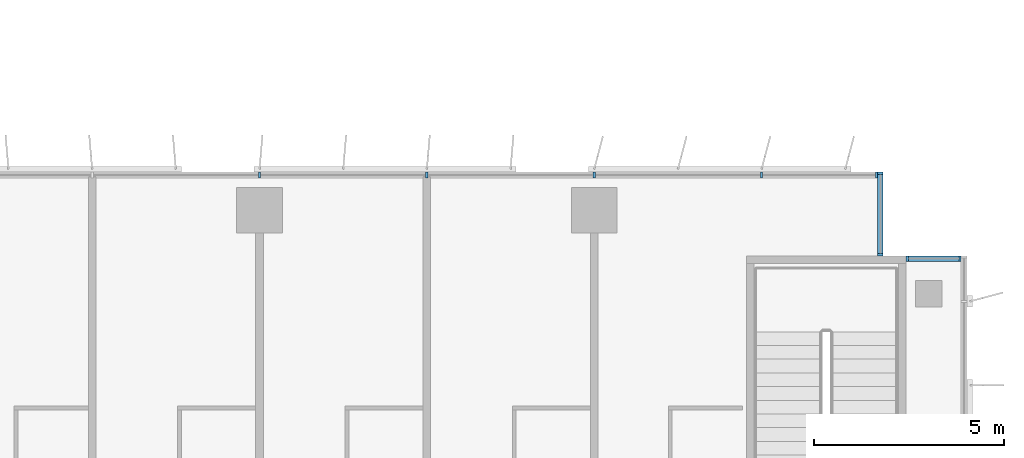
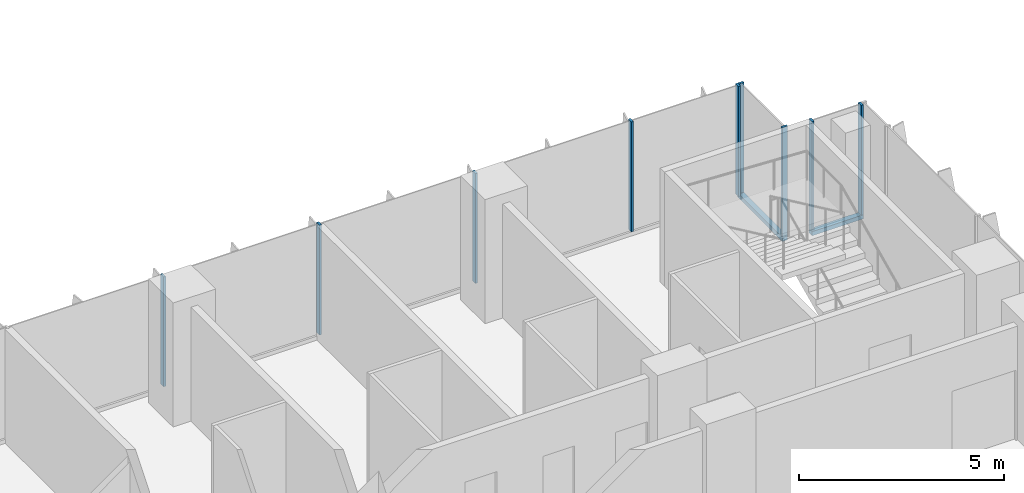
# One storey, part 4 of 22: 11 members, 3 elements without a shape of their own.
"""IFC4 building model written with IfcOpenShell, lengths in metres."""

from ifc_helpers import new_model, si_unit, direction, frame, origin, origin_2d, place, context, subcontext, project, spatial, rectangle, extrude, source, transform, mapped, material, material_profile, profile_set, type_object, element, aggregate, save


model = new_model("IFC4")

# Units and contexts
model_context = context("Model", 3, precision=1e-05, world=origin(), true_north=direction((0.0, 1.0)))
body_context = subcontext(model_context, "Body", "Model", "MODEL_VIEW")
ifc_project = project(units=[si_unit("LENGTHUNIT", "METRE"), si_unit("AREAUNIT", "SQUARE_METRE"), si_unit("VOLUMEUNIT", "CUBIC_METRE"), si_unit("PLANEANGLEUNIT", "RADIAN"), si_unit("MASSUNIT", "GRAM", prefix="KILO")], contexts=[model_context])

# Site, building, storey
site_placement = place(None, origin())
site = spatial("IfcSite", under=ifc_project, at=site_placement, CompositionType="ELEMENT")
building_placement = place(site_placement, origin())
building = spatial("IfcBuilding", under=site, at=building_placement, Name="Kemantara Hotel Tower", CompositionType="ELEMENT")
storey_placement = place(building_placement, frame((0.0, 0.0, 107.39990234375)))
storey = spatial("IfcBuildingStorey", under=building, at=storey_placement, Name="L25", CompositionType="ELEMENT", Elevation=107.39990234375)

# Curtain wall, member
ifc_material_1 = material(Name="Low-E tinted double insulated glass 36 mm", Category="glass")
curtain_wall_type = type_object("IfcCurtainWallType", Name="TOWER CURTAIN WALL, FRONT FACES", PredefinedType="USERDEFINED", material=ifc_material_1)
curtain_wall_1_placement = place(storey_placement, origin())
curtain_wall_1 = element("IfcCurtainWall", 1, at=curtain_wall_1_placement, inside=storey, type_object=curtain_wall_type, Name="CW4 L25 T2-R11-1", ObjectType="TOWER CURTAIN WALL, FRONT FACES", PredefinedType="USERDEFINED")
ifc_material_2 = material(Name="Aluminium 6063-T6 bronze anodised", Category="aluminium")
ifc_material_profile_1 = material_profile(ifc_material_2, rectangle(XDim=0.14990234375, YDim=0.1201171875, at=origin_2d()), Name="TOWER CURTAIN WALL, FRONT FACES TRANSOM")
ifc_profile_set_1 = profile_set([ifc_material_profile_1], Name="Aluminium 6063-T6 bronze anodised")
member_type_1 = type_object("IfcMemberType", Name="TOWER CURTAIN WALL, FRONT FACES TRANSOM", PredefinedType="USERDEFINED", material=ifc_profile_set_1)
member_1_placement = place(storey_placement, frame((63.449951171875, 19.72509765625, 0.06005859375), z_axis=(-1.0, 0.0, 0.0), x_axis=(0.0, -1.0, 0.0)))
member_1 = element("IfcMember", 2, at=member_1_placement, type_object=member_type_1, Name="CW4 sill transom T2-R11-1", ObjectType="TRANSOM", PredefinedType="USERDEFINED", context=body_context, shape_type="SweptSolid", body=[
    extrude(rectangle(XDim=0.14990234375, YDim=0.1201171875, at=origin_2d()), origin(), (0.0, 0.0, 1.0), 1.449951171875),
])

curtain_wall_2_placement = place(storey_placement, origin())
curtain_wall_2 = element("IfcCurtainWall", 3, at=curtain_wall_2_placement, inside=storey, type_object=curtain_wall_type, Name="CW4 L25 T2-R12-1", ObjectType="TOWER CURTAIN WALL, FRONT FACES", PredefinedType="USERDEFINED")
member_2_placement = place(storey_placement, frame((61.324951171875, 19.800048828125, 0.06005859375), z_axis=(0.0, 1.0, 0.0), x_axis=(-1.0, 0.0, 0.0)))
member_2 = element("IfcMember", 4, at=member_2_placement, type_object=member_type_1, Name="CW4 sill transom T2-R12-1", ObjectType="TRANSOM", PredefinedType="USERDEFINED", context=body_context, shape_type="SweptSolid", body=[
    extrude(rectangle(XDim=0.14990234375, YDim=0.1201171875, at=origin_2d()), origin(), (0.0, 0.0, 1.0), 2.199951171875),
])

# Curtain wall, members
curtain_wall_3_placement = place(storey_placement, origin())
curtain_wall_3 = element("IfcCurtainWall", 5, at=curtain_wall_3_placement, inside=storey, type_object=curtain_wall_type, Name="CW4 L25 T2-R13-1", ObjectType="TOWER CURTAIN WALL, FRONT FACES", PredefinedType="USERDEFINED")
ifc_material_profile_2 = material_profile(ifc_material_2, rectangle(XDim=0.14990234375, YDim=0.06005859375, at=origin_2d()), Name="TOWER CURTAIN WALL, FRONT FACES MULLION")
ifc_profile_set_2 = profile_set([ifc_material_profile_2], Name="Aluminium 6063-T6 bronze anodised")
member_type_2 = type_object("IfcMemberType", Name="TOWER CURTAIN WALL, FRONT FACES MULLION", PredefinedType="MULLION", material=ifc_profile_set_2)
shared_shape = source(origin(), body_context, "Body", "SweptSolid", [
    extrude(rectangle(XDim=0.14990234375, YDim=0.06005859375, at=origin_2d()), origin(), (0.0, 0.0, 1.0), 3.280029296875),
])
member_3_placement = place(storey_placement, frame((61.219970703125, 21.925048828125, 0.1201171875), z_axis=(0.0, 0.0, 1.0), x_axis=(0.0, -1.0, 0.0)))
member_3 = element("IfcMember", 6, at=member_3_placement, type_object=member_type_2, Name="CW4 mullion T2-R13-1.1", PredefinedType="MULLION", context=body_context, shape_type="MappedRepresentation", body=[
    mapped(shared_shape, transform((0.0, 0.0, 0.0))),
])
member_4_placement = place(storey_placement, frame((58.199951171875, 21.925048828125, 0.1201171875), z_axis=(0.0, 0.0, 1.0), x_axis=(0.0, -1.0, 0.0)))
member_4 = element("IfcMember", 7, at=member_4_placement, type_object=member_type_2, Name="CW4 mullion T2-R13-1.2", PredefinedType="MULLION", context=body_context, shape_type="MappedRepresentation", body=[
    mapped(shared_shape, transform((0.0, 0.0, 0.0))),
])
member_5_placement = place(storey_placement, frame((53.800048828125, 21.925048828125, 0.1201171875), z_axis=(0.0, 0.0, 1.0), x_axis=(0.0, -1.0, 0.0)))
member_5 = element("IfcMember", 8, at=member_5_placement, type_object=member_type_2, Name="CW4 mullion T2-R13-1.3", PredefinedType="MULLION", context=body_context, shape_type="MappedRepresentation", body=[
    mapped(shared_shape, transform((0.0, 0.0, 0.0))),
])
member_6_placement = place(storey_placement, frame((49.39990234375, 21.925048828125, 0.1201171875), z_axis=(0.0, 0.0, 1.0), x_axis=(0.0, -1.0, 0.0)))
member_6 = element("IfcMember", 9, at=member_6_placement, type_object=member_type_2, Name="CW4 mullion T2-R13-1.4", PredefinedType="MULLION", context=body_context, shape_type="MappedRepresentation", body=[
    mapped(shared_shape, transform((0.0, 0.0, 0.0))),
])
member_7_placement = place(storey_placement, frame((45.0, 21.925048828125, 0.1201171875), z_axis=(0.0, 0.0, 1.0), x_axis=(0.0, -1.0, 0.0)))
member_7 = element("IfcMember", 10, at=member_7_placement, type_object=member_type_2, Name="CW4 mullion T2-R13-1.5", PredefinedType="MULLION", context=body_context, shape_type="MappedRepresentation", body=[
    mapped(shared_shape, transform((0.0, 0.0, 0.0))),
])
aggregate(curtain_wall_3, [member_3, member_4, member_5, member_6, member_7])

# Member
member_8_placement = place(storey_placement, frame((63.419921875, 19.72509765625, 0.1201171875), z_axis=(0.0, 0.0, 1.0), x_axis=(0.0, -1.0, 0.0)))
member_8 = element("IfcMember", 11, at=member_8_placement, type_object=member_type_2, Name="CW4 mullion T2-R11-1.1", PredefinedType="MULLION", context=body_context, shape_type="MappedRepresentation", body=[
    mapped(shared_shape, transform((0.0, 0.0, 0.0))),
])

member_9_placement = place(storey_placement, frame((62.030029296875, 19.72509765625, 0.1201171875), z_axis=(0.0, 0.0, 1.0), x_axis=(0.0, -1.0, 0.0)))
member_9 = element("IfcMember", 12, at=member_9_placement, type_object=member_type_2, Name="CW4 mullion T2-R11-1.2", PredefinedType="MULLION", context=body_context, shape_type="MappedRepresentation", body=[
    mapped(shared_shape, transform((0.0, 0.0, 0.0))),
])

aggregate(curtain_wall_1, [member_1, member_8, member_9])

member_10_placement = place(storey_placement, frame((61.324951171875, 19.830078125, 0.1201171875), z_axis=(0.0, 0.0, 1.0), x_axis=(-1.0, 0.0, 0.0)))
member_10 = element("IfcMember", 13, at=member_10_placement, type_object=member_type_2, Name="CW4 mullion T2-R12-1.1", PredefinedType="MULLION", context=body_context, shape_type="MappedRepresentation", body=[
    mapped(shared_shape, transform((0.0, 0.0, 0.0))),
])

member_11_placement = place(storey_placement, frame((61.324951171875, 21.969970703125, 0.1201171875), z_axis=(0.0, 0.0, 1.0), x_axis=(-1.0, 0.0, 0.0)))
member_11 = element("IfcMember", 14, at=member_11_placement, type_object=member_type_2, Name="CW4 mullion T2-R12-1.2", PredefinedType="MULLION", context=body_context, shape_type="MappedRepresentation", body=[
    mapped(shared_shape, transform((0.0, 0.0, 0.0))),
])

aggregate(curtain_wall_2, [member_2, member_10, member_11])

save(model, "model.ifc")
